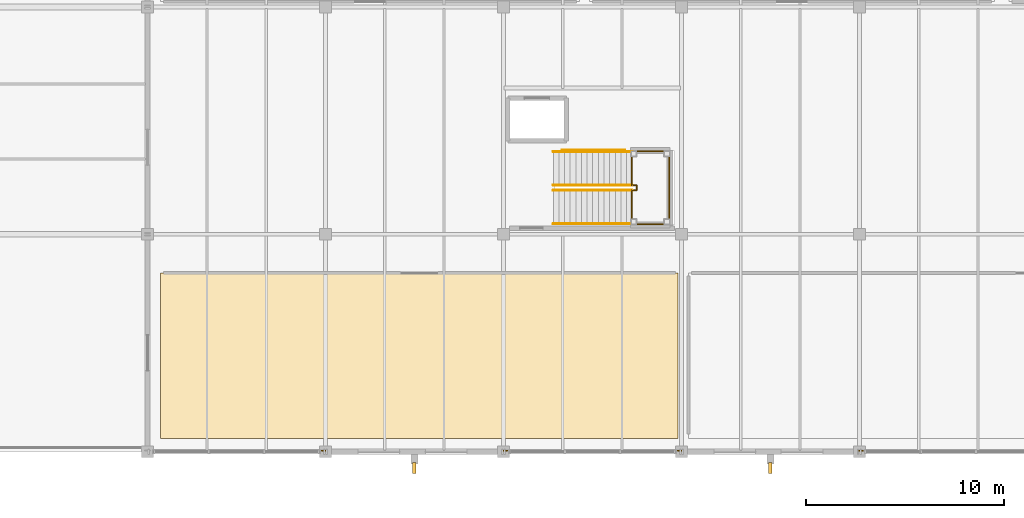
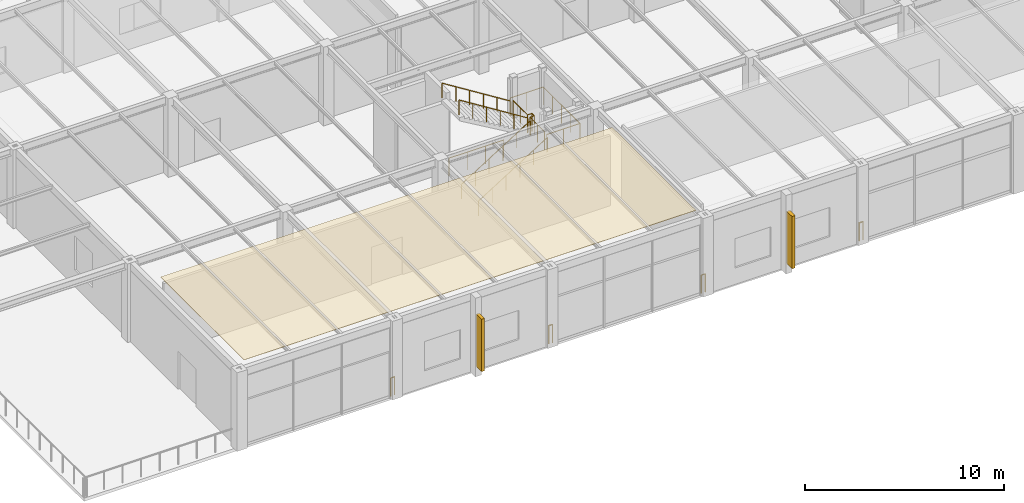
# One storey, part 134 of 143: 11 railings, 2 shading devices, 1 covering.
"""IFC4 building model written with IfcOpenShell, lengths in metres."""

from ifc_helpers import new_model, si_unit, direction, frame, origin, origin_2d, place, context, subcontext, project, spatial, polyline, rectangle, circle, outline, extrude, material, layer, layer_set, type_object, element, save


model = new_model("IFC4")

# Units and contexts
model_context = context("Model", 3, precision=1e-05, world=origin(), true_north=direction((0.0, 1.0)))
body_context = subcontext(model_context, "Body", "Model", "MODEL_VIEW")
ifc_project = project(units=[si_unit("LENGTHUNIT", "METRE"), si_unit("AREAUNIT", "SQUARE_METRE"), si_unit("VOLUMEUNIT", "CUBIC_METRE"), si_unit("PLANEANGLEUNIT", "RADIAN"), si_unit("MASSUNIT", "GRAM", prefix="KILO")], contexts=[model_context])

# Site, building, storey
site_placement = place(None, origin())
site = spatial("IfcSite", under=ifc_project, at=site_placement, CompositionType="ELEMENT")
building_placement = place(site_placement, origin())
building = spatial("IfcBuilding", under=site, at=building_placement, Name="Marlcrest Central Station", CompositionType="ELEMENT")
storey_placement = place(building_placement, frame((0.0, 0.0, 4.800048828125)))
storey = spatial("IfcBuildingStorey", under=building, at=storey_placement, Name="L01", CompositionType="ELEMENT", Elevation=4.800048828125)

# Covering
ifc_material_1 = material(Name="Perforated acoustic mineral-fibre ceiling")
ifc_layer = layer(ifc_material_1, 0.02490234375, Name="CV-CLG")
ifc_layer_set = layer_set([ifc_layer], Name="Perforated acoustic mineral-fibre ceiling")
covering_type = type_object("IfcCoveringType", Name="CV-CLG", PredefinedType="CEILING", material=ifc_layer_set)
covering_placement = place(storey_placement, frame((0.0, 0.0, 4.675048828125)))
element("IfcCovering", 1, at=covering_placement, inside=storey, type_object=covering_type, Name="cov-clg-0074", PredefinedType="CEILING", context=body_context, shape_type="SweptSolid", body=[
    extrude(outline(polyline([(179.840087890625, 0.659912109375), (179.840087890625, 9.0400390625), (153.659912109375, 9.0400390625), (153.659912109375, 0.659912109375), (179.840087890625, 0.659912109375)])), origin(), (0.0, 0.0, 1.0), 0.02490234375),
])

# Railings
ifc_material_2 = material(Name="Stainless steel and laminated glass concourse balustrade", Category="steel")
railing_type_1 = type_object("IfcRailingType", Name="GR-02", PredefinedType="BALUSTRADE", material=ifc_material_2)
railing_1_placement = place(storey_placement, frame((177.469970703125, 11.510009765625, 2.5)))
element("IfcRailing", 2, at=railing_1_placement, inside=storey, type_object=railing_type_1, Name="hr-L01-00215", PredefinedType="BALUSTRADE", context=body_context, shape_type="SweptSolid", body=[
    extrude(circle(Radius=0.02392578125, at=origin_2d()), frame((0.0, 0.0, 1.09619140625), z_axis=(1.0, 0.0, 0.0), x_axis=(0.0, 1.0, 0.0)), (0.0, 0.0, 1.0), 1.919921875),
    extrude(circle(Radius=0.02392578125, at=origin_2d()), frame((1.919921875, 0.0, 1.09619140625), z_axis=(0.0, 1.0, 0.0), x_axis=(-1.0, 0.0, 0.0)), (0.0, 0.0, 1.0), 3.679931640625),
    extrude(circle(Radius=0.02392578125, at=origin_2d()), frame((1.919921875, 3.679931640625, 1.09619140625), z_axis=(-1.0, 0.0, 0.0), x_axis=(0.0, -1.0, 0.0)), (0.0, 0.0, 1.0), 1.919921875),
    extrude(circle(Radius=0.02099609375, at=origin_2d()), origin(), (0.0, 0.0, 1.0), 1.072021484375),
    extrude(circle(Radius=0.02099609375, at=origin_2d()), frame((0.9599609375, 0.0, 0.0)), (0.0, 0.0, 1.0), 1.072021484375),
    extrude(circle(Radius=0.02099609375, at=origin_2d()), frame((1.919921875, 0.0, 0.0)), (0.0, 0.0, 1.0), 1.072021484375),
    extrude(circle(Radius=0.02099609375, at=origin_2d()), frame((1.919921875, 0.919921875, 0.0)), (0.0, 0.0, 1.0), 1.072021484375),
    extrude(circle(Radius=0.02099609375, at=origin_2d()), frame((1.919921875, 1.83984375, 0.0)), (0.0, 0.0, 1.0), 1.072021484375),
    extrude(circle(Radius=0.02099609375, at=origin_2d()), frame((1.919921875, 2.760009765625, 0.0)), (0.0, 0.0, 1.0), 1.072021484375),
    extrude(circle(Radius=0.02099609375, at=origin_2d()), frame((1.919921875, 3.679931640625, 0.0)), (0.0, 0.0, 1.0), 1.072021484375),
    extrude(circle(Radius=0.02099609375, at=origin_2d()), frame((0.9599609375, 3.679931640625, 0.0)), (0.0, 0.0, 1.0), 1.072021484375),
    extrude(circle(Radius=0.02099609375, at=origin_2d()), frame((0.0, 3.679931640625, 0.0)), (0.0, 0.0, 1.0), 1.072021484375),
])
for number, where, name in (
    (3, (189.18505859375, 0.06005859375, 0.0), "hr-L01-00340"),
    (4, (180.037109375, 0.06005859375, 0.0), "hr-L01-00341"),
    (5, (171.18505859375, 0.06005859375, 0.0), "hr-L01-00342"),
    (6, (162.037109375, 0.06005859375, 0.0), "hr-L01-00343"),
):
    element("IfcRailing", number, at=place(storey_placement, frame(where)), inside=storey, type_object=railing_type_1, Name=name, PredefinedType="BALUSTRADE", context=body_context, shape_type="SweptSolid", body=[
        extrude(circle(Radius=0.02392578125, at=origin_2d()), frame((0.0, 0.0, 1.09619140625), z_axis=(-1.0, 0.0, 0.0), x_axis=(0.0, -1.0, 0.0)), (0.0, 0.0, 1.0), 0.22216796875),
        extrude(circle(Radius=0.02099609375, at=origin_2d()), origin(), (0.0, 0.0, 1.0), 1.072021484375),
        extrude(circle(Radius=0.02099609375, at=origin_2d()), frame((-0.22216796875, 0.0, 0.0)), (0.0, 0.0, 1.0), 1.072021484375),
    ])
railing_2_placement = place(storey_placement, frame((177.14208984375, 15.260009765625, 0.0)))
element("IfcRailing", 7, at=railing_2_placement, inside=storey, type_object=railing_type_1, Name="hr-L01-00346", PredefinedType="BALUSTRADE", context=body_context, shape_type="SweptSolid", body=[
    extrude(circle(Radius=0.02392578125, at=origin_2d()), frame((0.0, 0.0, 1.09619140625), z_axis=(-1.0, 0.0, 0.0), x_axis=(0.0, -1.0, 0.0)), (0.0, 0.0, 1.0), 3.172119140625),
    extrude(circle(Radius=0.02099609375, at=origin_2d()), origin(), (0.0, 0.0, 1.0), 1.072021484375),
    extrude(circle(Radius=0.02099609375, at=origin_2d()), frame((-1.057373046875, 0.0, 0.0)), (0.0, 0.0, 1.0), 1.072021484375),
    extrude(circle(Radius=0.02099609375, at=origin_2d()), frame((-2.11474609375, 0.0, 0.0)), (0.0, 0.0, 1.0), 1.072021484375),
    extrude(circle(Radius=0.02099609375, at=origin_2d()), frame((-3.172119140625, 0.0, 0.0)), (0.0, 0.0, 1.0), 1.072021484375),
])
railing_3_placement = place(storey_placement, frame((177.489990234375, 11.760009765625, 2.5)))
element("IfcRailing", 8, at=railing_3_placement, inside=storey, type_object=railing_type_1, Name="hr-L01-00597", PredefinedType="BALUSTRADE", context=body_context, shape_type="SweptSolid", body=[
    extrude(circle(Radius=0.02392578125, at=origin_2d()), frame((0.0, 0.0, 1.09619140625), z_axis=(0.0, 1.0, 0.0), x_axis=(-1.0, 0.0, 0.0)), (0.0, 0.0, 1.0), 1.469970703125),
    extrude(circle(Radius=0.02392578125, at=origin_2d()), frame((0.0, 1.469970703125, 1.09619140625), z_axis=(1.0, 0.0, 0.0), x_axis=(0.0, 1.0, 0.0)), (0.0, 0.0, 1.0), 0.25),
    extrude(circle(Radius=0.02392578125, at=origin_2d()), frame((0.25, 1.469970703125, 1.09619140625), z_axis=(0.0, 1.0, 0.0), x_axis=(-1.0, 0.0, 0.0)), (0.0, 0.0, 1.0), 0.239990234375),
    extrude(circle(Radius=0.02392578125, at=origin_2d()), frame((0.25, 1.7099609375, 1.09619140625), z_axis=(-1.0, 0.0, 0.0), x_axis=(0.0, -1.0, 0.0)), (0.0, 0.0, 1.0), 0.25),
    extrude(circle(Radius=0.02392578125, at=origin_2d()), frame((0.0, 1.7099609375, 1.09619140625), z_axis=(0.0, 1.0, 0.0), x_axis=(-1.0, 0.0, 0.0)), (0.0, 0.0, 1.0), 1.469970703125),
    extrude(circle(Radius=0.02099609375, at=origin_2d()), origin(), (0.0, 0.0, 1.0), 1.072021484375),
    extrude(circle(Radius=0.02099609375, at=origin_2d()), frame((0.0, 0.73486328125, 0.0)), (0.0, 0.0, 1.0), 1.072021484375),
    extrude(circle(Radius=0.02099609375, at=origin_2d()), frame((0.0, 1.469970703125, 0.0)), (0.0, 0.0, 1.0), 1.072021484375),
    extrude(circle(Radius=0.02099609375, at=origin_2d()), frame((0.25, 1.469970703125, 0.0)), (0.0, 0.0, 1.0), 1.072021484375),
    extrude(circle(Radius=0.02099609375, at=origin_2d()), frame((0.25, 1.7099609375, 0.0)), (0.0, 0.0, 1.0), 1.072021484375),
    extrude(circle(Radius=0.02099609375, at=origin_2d()), frame((0.0, 1.7099609375, 0.0)), (0.0, 0.0, 1.0), 1.072021484375),
    extrude(circle(Radius=0.02099609375, at=origin_2d()), frame((0.0, 2.44482421875, 0.0)), (0.0, 0.0, 1.0), 1.072021484375),
    extrude(circle(Radius=0.02099609375, at=origin_2d()), frame((0.0, 3.179931640625, 0.0)), (0.0, 0.0, 1.0), 1.072021484375),
])
ifc_material_3 = material(Name="Brushed stainless steel handrail", Category="steel")
railing_type_2 = type_object("IfcRailingType", Name="HR-01", PredefinedType="HANDRAIL", material=ifc_material_3)
railing_4_placement = place(storey_placement, frame((173.52001953125, 11.52001953125, 0.0)))
element("IfcRailing", 9, at=railing_4_placement, inside=storey, type_object=railing_type_2, Name="hr-L01-00211", PredefinedType="HANDRAIL", context=body_context, shape_type="SweptSolid", body=[
    extrude(circle(Radius=0.02392578125, at=origin_2d()), frame((0.0, 0.0, 0.89599609375), z_axis=(0.847400605549, 0.0, 0.530954059892), x_axis=(0.0, 1.0, 0.0)), (0.0, 0.0, 1.0), 4.70849609375),
    extrude(circle(Radius=0.02099609375, at=origin_2d()), origin(), (0.0, 0.0, 1.0), 0.871826171875),
    extrude(circle(Radius=0.02099609375, at=origin_2d()), frame((0.798095703125, 0.0, 0.5)), (0.0, 0.0, 1.0), 0.871826171875),
    extrude(circle(Radius=0.02099609375, at=origin_2d()), frame((1.595947265625, 0.0, 1.0)), (0.0, 0.0, 1.0), 0.871826171875),
    extrude(circle(Radius=0.02099609375, at=origin_2d()), frame((2.39404296875, 0.0, 1.5)), (0.0, 0.0, 1.0), 0.871826171875),
    extrude(circle(Radius=0.02099609375, at=origin_2d()), frame((3.19189453125, 0.0, 2.0)), (0.0, 0.0, 1.0), 0.871826171875),
    extrude(circle(Radius=0.02099609375, at=origin_2d()), frame((3.989990234375, 0.0, 2.5)), (0.0, 0.0, 1.0), 0.871826171875),
])
railing_5_placement = place(storey_placement, frame((177.510009765625, 13.47998046875, 2.5)))
element("IfcRailing", 10, at=railing_5_placement, inside=storey, type_object=railing_type_2, Name="hr-L01-00212", PredefinedType="HANDRAIL", context=body_context, shape_type="SweptSolid", body=[
    extrude(circle(Radius=0.02392578125, at=origin_2d()), frame((0.0, 0.0, 0.89599609375), z_axis=(-0.847400605549, 0.0, 0.530954059892), x_axis=(0.0, -1.0, 0.0)), (0.0, 0.0, 1.0), 4.70849609375),
    extrude(circle(Radius=0.02099609375, at=origin_2d()), origin(), (0.0, 0.0, 1.0), 0.871826171875),
    extrude(circle(Radius=0.02099609375, at=origin_2d()), frame((-0.798095703125, 0.0, 0.5)), (0.0, 0.0, 1.0), 0.871826171875),
    extrude(circle(Radius=0.02099609375, at=origin_2d()), frame((-1.595947265625, 0.0, 1.0)), (0.0, 0.0, 1.0), 0.871826171875),
    extrude(circle(Radius=0.02099609375, at=origin_2d()), frame((-2.39404296875, 0.0, 1.5)), (0.0, 0.0, 1.0), 0.871826171875),
    extrude(circle(Radius=0.02099609375, at=origin_2d()), frame((-3.19189453125, 0.0, 2.0)), (0.0, 0.0, 1.0), 0.871826171875),
    extrude(circle(Radius=0.02099609375, at=origin_2d()), frame((-3.989990234375, 0.0, 2.5)), (0.0, 0.0, 1.0), 0.871826171875),
])
railing_6_placement = place(storey_placement, frame((173.52001953125, 13.219970703125, 0.0)))
element("IfcRailing", 11, at=railing_6_placement, inside=storey, type_object=railing_type_2, Name="hr-L01-00213", PredefinedType="HANDRAIL", context=body_context, shape_type="SweptSolid", body=[
    extrude(circle(Radius=0.02392578125, at=origin_2d()), frame((0.0, 0.0, 0.89599609375), z_axis=(0.847400605549, 0.0, 0.530954059892), x_axis=(0.0, 1.0, 0.0)), (0.0, 0.0, 1.0), 4.70849609375),
    extrude(circle(Radius=0.02099609375, at=origin_2d()), origin(), (0.0, 0.0, 1.0), 0.871826171875),
    extrude(circle(Radius=0.02099609375, at=origin_2d()), frame((0.798095703125, 0.0, 0.5)), (0.0, 0.0, 1.0), 0.871826171875),
    extrude(circle(Radius=0.02099609375, at=origin_2d()), frame((1.595947265625, 0.0, 1.0)), (0.0, 0.0, 1.0), 0.871826171875),
    extrude(circle(Radius=0.02099609375, at=origin_2d()), frame((2.39404296875, 0.0, 1.5)), (0.0, 0.0, 1.0), 0.871826171875),
    extrude(circle(Radius=0.02099609375, at=origin_2d()), frame((3.19189453125, 0.0, 2.0)), (0.0, 0.0, 1.0), 0.871826171875),
    extrude(circle(Radius=0.02099609375, at=origin_2d()), frame((3.989990234375, 0.0, 2.5)), (0.0, 0.0, 1.0), 0.871826171875),
])
railing_7_placement = place(storey_placement, frame((177.510009765625, 15.179931640625, 2.5)))
element("IfcRailing", 12, at=railing_7_placement, inside=storey, type_object=railing_type_2, Name="hr-L01-00214", PredefinedType="HANDRAIL", context=body_context, shape_type="SweptSolid", body=[
    extrude(circle(Radius=0.02392578125, at=origin_2d()), frame((0.0, 0.0, 0.89599609375), z_axis=(-0.847400605549, 0.0, 0.530954059892), x_axis=(0.0, -1.0, 0.0)), (0.0, 0.0, 1.0), 4.70849609375),
    extrude(circle(Radius=0.02099609375, at=origin_2d()), origin(), (0.0, 0.0, 1.0), 0.871826171875),
    extrude(circle(Radius=0.02099609375, at=origin_2d()), frame((-0.798095703125, 0.0, 0.5)), (0.0, 0.0, 1.0), 0.871826171875),
    extrude(circle(Radius=0.02099609375, at=origin_2d()), frame((-1.595947265625, 0.0, 1.0)), (0.0, 0.0, 1.0), 0.871826171875),
    extrude(circle(Radius=0.02099609375, at=origin_2d()), frame((-2.39404296875, 0.0, 1.5)), (0.0, 0.0, 1.0), 0.871826171875),
    extrude(circle(Radius=0.02099609375, at=origin_2d()), frame((-3.19189453125, 0.0, 2.0)), (0.0, 0.0, 1.0), 0.871826171875),
    extrude(circle(Radius=0.02099609375, at=origin_2d()), frame((-3.989990234375, 0.0, 2.5)), (0.0, 0.0, 1.0), 0.871826171875),
])

# Shading devices
ifc_material_4 = material(Name="Precast concrete C40/50", Category="concrete")
shading_device_type = type_object("IfcShadingDeviceType", Name="SD-BS2", PredefinedType="USERDEFINED", material=ifc_material_4)
for number, where, z_axis, x_axis, name in (
    (13, (166.5, -0.820068359375, 0.5751953125), (0.0, 0.0, 1.0), (1.0, 0.0, 0.0), "shd-L01-0026"),
    (14, (184.5, -0.820068359375, 0.5751953125), (0.0, 0.0, 1.0), (1.0, 0.0, 0.0), "shd-L01-0027"),
):
    element("IfcShadingDevice", number, at=place(storey_placement, frame(where, z_axis=z_axis, x_axis=x_axis)), inside=storey, type_object=shading_device_type, Name=name, ObjectType="BRISE_SOLEIL", PredefinedType="USERDEFINED", context=body_context, shape_type="SweptSolid", body=[
        extrude(rectangle(XDim=0.179931640625, YDim=0.550048828125, at=origin_2d()), origin(), (0.0, 0.0, 1.0), 3.199951171875),
    ])

save(model, "model.ifc")
